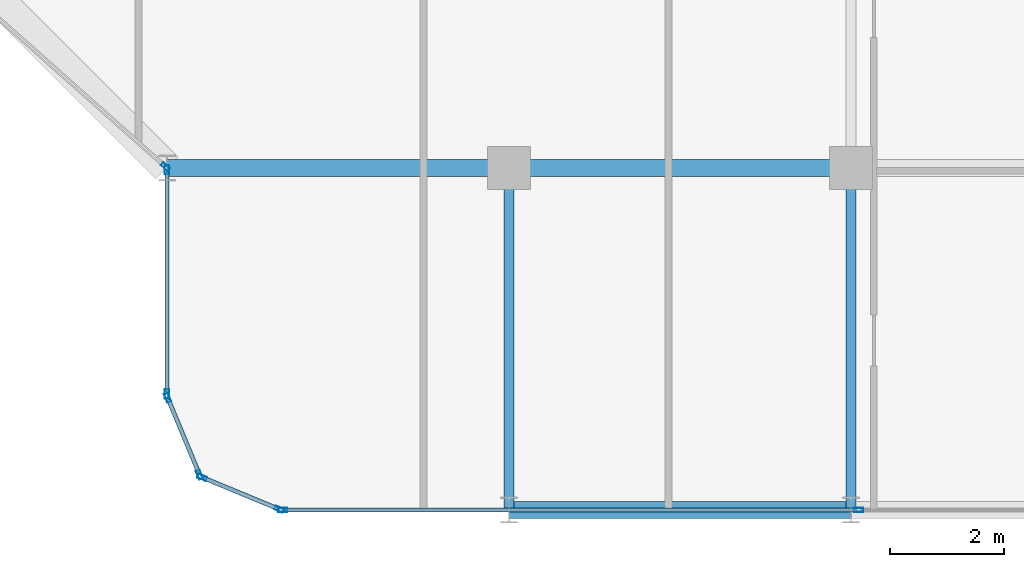
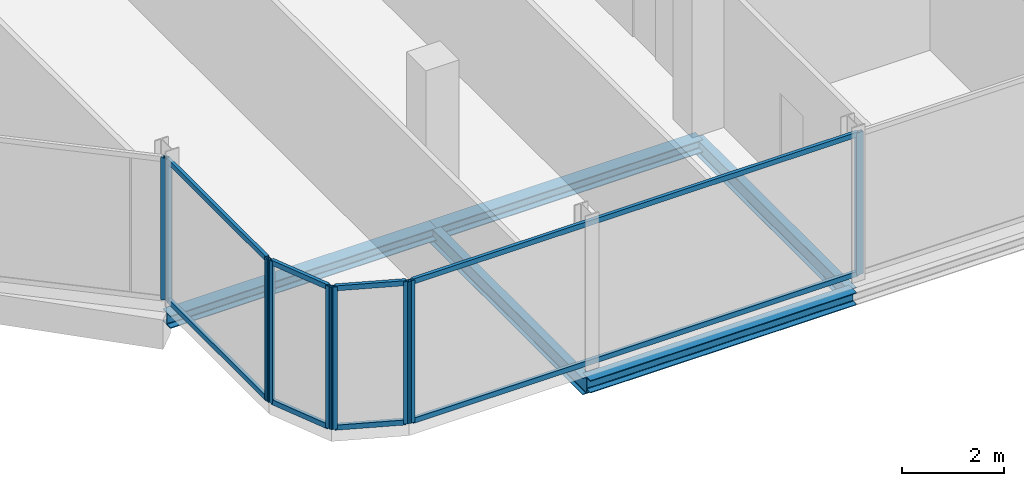
# One storey, part 6 of 29: 17 members, 5 beams, 5 elements without a shape of their own.
"""IFC4 building model written with IfcOpenShell, lengths in metres."""

from ifc_helpers import new_model, si_unit, direction, frame, origin, origin_2d, place, context, subcontext, project, spatial, hollow_rectangle, i_section, extrude, material, layer, layer_set, material_profile, profile_set, type_object, element, aggregate, save


model = new_model("IFC4")

# Units and contexts
model_context = context("Model", 3, precision=1e-05, world=origin(), true_north=direction((0.0, 1.0)))
body_context = subcontext(model_context, "Body", "Model", "MODEL_VIEW")
ifc_project = project(units=[si_unit("LENGTHUNIT", "METRE"), si_unit("AREAUNIT", "SQUARE_METRE"), si_unit("VOLUMEUNIT", "CUBIC_METRE"), si_unit("PLANEANGLEUNIT", "RADIAN"), si_unit("MASSUNIT", "GRAM", prefix="KILO")], contexts=[model_context])

# Site, building, storey
site_placement = place(None, origin())
site = spatial("IfcSite", under=ifc_project, at=site_placement, CompositionType="ELEMENT")
building_placement = place(site_placement, origin())
building = spatial("IfcBuilding", under=site, at=building_placement, Name="Keshet Zoharim Tower", CompositionType="ELEMENT")
storey_placement = place(building_placement, frame((0.0, 0.0, 230.199951171875)))
storey = spatial("IfcBuildingStorey", under=building, at=storey_placement, Name="L57", CompositionType="ELEMENT", Elevation=230.199951171875)

# Beams
ifc_material_1 = material(Name="Steel S355", Category="steel")
ifc_material_profile_1 = material_profile(ifc_material_1, i_section(OverallWidth=0.300048828125, OverallDepth=0.300048828125, WebThickness=0.010986328125, FlangeThickness=0.01904296875, FilletRadius=0.027099609375, at=origin_2d()), Name="HEB300")
ifc_profile_set_1 = profile_set([ifc_material_profile_1], Name="Steel S355")
beam_type_1 = type_object("IfcBeamType", Name="BM-PRI-HB300", PredefinedType="BEAM", material=ifc_profile_set_1)
for number, where, z_axis, x_axis, name in (
    (1, (27.0, 0.699951171875, -0.4599609375), (1.0, 0.0, 0.0), (0.0, 1.0, 0.0), "L57 Primary Girder X-001"),
    (2, (21.0, 6.699951171875, -0.4599609375), (1.0, 0.0, 0.0), (0.0, 1.0, 0.0), "L57 Primary Girder X-005"),
    (3, (27.0, 6.699951171875, -0.4599609375), (1.0, 0.0, 0.0), (0.0, 1.0, 0.0), "L57 Primary Girder X-006"),
):
    element("IfcBeam", number, at=place(storey_placement, frame(where, z_axis=z_axis, x_axis=x_axis)), inside=storey, type_object=beam_type_1, Name=name, PredefinedType="BEAM", context=body_context, shape_type="SweptSolid", body=[
        extrude(i_section(OverallWidth=0.300048828125, OverallDepth=0.300048828125, WebThickness=0.010986328125, FlangeThickness=0.01904296875, FilletRadius=0.027099609375, at=origin_2d()), origin(), (0.0, 0.0, 1.0), 6.0),
    ])
ifc_material_profile_2 = material_profile(ifc_material_1, i_section(OverallWidth=0.179931640625, OverallDepth=0.39990234375, WebThickness=0.008544921875, FlangeThickness=0.013427734375, FilletRadius=0.02099609375, at=origin_2d()), Name="IPE400")
ifc_profile_set_2 = profile_set([ifc_material_profile_2], Name="Steel S355")
beam_type_2 = type_object("IfcBeamType", Name="BM-PRI-IP400", PredefinedType="BEAM", material=ifc_profile_set_2)
for number, where, z_axis, x_axis, name in (
    (4, (27.0, 0.699951171875, -0.510009765625), (0.0, 1.0, 0.0), (-1.0, 0.0, 0.0), "L57 Primary Girder Y-004"),
    (5, (33.0, 0.699951171875, -0.510009765625), (0.0, 1.0, 0.0), (-1.0, 0.0, 0.0), "L57 Primary Girder Y-005"),
):
    element("IfcBeam", number, at=place(storey_placement, frame(where, z_axis=z_axis, x_axis=x_axis)), inside=storey, type_object=beam_type_2, Name=name, PredefinedType="BEAM", context=body_context, shape_type="SweptSolid", body=[
        extrude(i_section(OverallWidth=0.179931640625, OverallDepth=0.39990234375, WebThickness=0.008544921875, FlangeThickness=0.013427734375, FilletRadius=0.02099609375, at=origin_2d()), origin(), (0.0, 0.0, 1.0), 6.0),
    ])

# Curtain wall, members
ifc_material_2 = material(Name="Aluminium 6063-T6", Category="aluminium")
ifc_layer = layer(ifc_material_2, 0.139892578125)
ifc_layer_set = layer_set([ifc_layer], Name="Aluminium 6063-T6")
curtain_wall_type = type_object("IfcCurtainWallType", Name="CW-SYS-05", PredefinedType="NOTDEFINED", material=ifc_layer_set)
curtain_wall_1_placement = place(storey_placement, origin())
curtain_wall_1 = element("IfcCurtainWall", 6, at=curtain_wall_1_placement, inside=storey, type_object=curtain_wall_type, Name="L57 Unitised Curtain Wall 06 Part 3", PredefinedType="NOTDEFINED")
ifc_material_profile_3 = material_profile(ifc_material_2, hollow_rectangle(XDim=0.074951171875, YDim=0.159912109375, WallThickness=0.00390625, at=origin_2d()), Name="MUL-75x160")
ifc_profile_set_3 = profile_set([ifc_material_profile_3], Name="Aluminium 6063-T6")
member_type_1 = type_object("IfcMemberType", Name="CWM-M15", PredefinedType="MULLION", material=ifc_profile_set_3)
member_1_placement = place(storey_placement, frame((33.1376953125, 0.699951171875, 0.0), z_axis=(0.0, 0.0, 1.0), x_axis=(0.0, -1.0, 0.0)))
member_1 = element("IfcMember", 7, at=member_1_placement, type_object=member_type_1, Name="CW-05 mullion 2", PredefinedType="MULLION", context=body_context, shape_type="SweptSolid", body=[
    extrude(hollow_rectangle(XDim=0.074951171875, YDim=0.159912109375, WallThickness=0.00390625, at=origin_2d()), origin(), (0.0, 0.0, 1.0), 3.39013671875),
])
member_2_placement = place(storey_placement, frame((23.034912109375, 0.699951171875, 0.0), z_axis=(0.0, 0.0, 1.0), x_axis=(0.0, -1.0, 0.0)))
member_2 = element("IfcMember", 8, at=member_2_placement, type_object=member_type_1, Name="CW-05 mullion 3", PredefinedType="MULLION", context=body_context, shape_type="SweptSolid", body=[
    extrude(hollow_rectangle(XDim=0.074951171875, YDim=0.159912109375, WallThickness=0.00390625, at=origin_2d()), origin(), (0.0, 0.0, 1.0), 3.39013671875),
])

curtain_wall_2_placement = place(storey_placement, origin())
curtain_wall_2 = element("IfcCurtainWall", 9, at=curtain_wall_2_placement, inside=storey, type_object=curtain_wall_type, Name="L57 Unitised Curtain Wall 07", PredefinedType="NOTDEFINED")
member_3_placement = place(storey_placement, frame((22.9677734375, 0.71337890625, 0.0), z_axis=(0.0, 0.0, 1.0), x_axis=(-0.382851849847, -0.92380975372, 0.0)))
member_3 = element("IfcMember", 10, at=member_3_placement, type_object=member_type_1, Name="CW-05 mullion 1", PredefinedType="MULLION", context=body_context, shape_type="SweptSolid", body=[
    extrude(hollow_rectangle(XDim=0.074951171875, YDim=0.159912109375, WallThickness=0.00390625, at=origin_2d()), origin(), (0.0, 0.0, 1.0), 3.39013671875),
])
member_4_placement = place(storey_placement, frame((21.618408203125, 1.272705078125, 0.0), z_axis=(0.0, 0.0, 1.0), x_axis=(-0.382851849847, -0.92380975372, 0.0)))
member_4 = element("IfcMember", 11, at=member_4_placement, type_object=member_type_1, Name="CW-05 mullion 2", PredefinedType="MULLION", context=body_context, shape_type="SweptSolid", body=[
    extrude(hollow_rectangle(XDim=0.074951171875, YDim=0.159912109375, WallThickness=0.00390625, at=origin_2d()), origin(), (0.0, 0.0, 1.0), 3.39013671875),
])

curtain_wall_3_placement = place(storey_placement, origin())
curtain_wall_3 = element("IfcCurtainWall", 12, at=curtain_wall_3_placement, inside=storey, type_object=curtain_wall_type, Name="L57 Unitised Curtain Wall 08", PredefinedType="NOTDEFINED")
member_5_placement = place(storey_placement, frame((21.572509765625, 1.318359375, 0.0), z_axis=(0.0, 0.0, 1.0), x_axis=(-0.92380975372, -0.382851849847, 0.0)))
member_5 = element("IfcMember", 13, at=member_5_placement, type_object=member_type_1, Name="CW-05 mullion 1", PredefinedType="MULLION", context=body_context, shape_type="SweptSolid", body=[
    extrude(hollow_rectangle(XDim=0.074951171875, YDim=0.159912109375, WallThickness=0.00390625, at=origin_2d()), origin(), (0.0, 0.0, 1.0), 3.39013671875),
])
member_6_placement = place(storey_placement, frame((21.013427734375, 2.667724609375, 0.0), z_axis=(0.0, 0.0, 1.0), x_axis=(-0.92380975372, -0.382851849847, 0.0)))
member_6 = element("IfcMember", 14, at=member_6_placement, type_object=member_type_1, Name="CW-05 mullion 2", PredefinedType="MULLION", context=body_context, shape_type="SweptSolid", body=[
    extrude(hollow_rectangle(XDim=0.074951171875, YDim=0.159912109375, WallThickness=0.00390625, at=origin_2d()), origin(), (0.0, 0.0, 1.0), 3.39013671875),
])

curtain_wall_4_placement = place(storey_placement, origin())
curtain_wall_4 = element("IfcCurtainWall", 15, at=curtain_wall_4_placement, inside=storey, type_object=curtain_wall_type, Name="L57 Unitised Curtain Wall 09", PredefinedType="NOTDEFINED")
member_7_placement = place(storey_placement, frame((21.0, 2.735107421875, 0.0), z_axis=(0.0, 0.0, 1.0), x_axis=(-1.0, 0.0, 0.0)))
member_7 = element("IfcMember", 16, at=member_7_placement, type_object=member_type_1, Name="CW-05 mullion 1", PredefinedType="MULLION", context=body_context, shape_type="SweptSolid", body=[
    extrude(hollow_rectangle(XDim=0.074951171875, YDim=0.159912109375, WallThickness=0.00390625, at=origin_2d()), origin(), (0.0, 0.0, 1.0), 3.39013671875),
])
member_8_placement = place(storey_placement, frame((21.0, 6.6650390625, 0.0), z_axis=(0.0, 0.0, 1.0), x_axis=(-1.0, 0.0, 0.0)))
member_8 = element("IfcMember", 17, at=member_8_placement, type_object=member_type_1, Name="CW-05 mullion 2", PredefinedType="MULLION", context=body_context, shape_type="SweptSolid", body=[
    extrude(hollow_rectangle(XDim=0.074951171875, YDim=0.159912109375, WallThickness=0.00390625, at=origin_2d()), origin(), (0.0, 0.0, 1.0), 3.39013671875),
])

# Curtain wall, member
curtain_wall_5_placement = place(storey_placement, origin())
curtain_wall_5 = element("IfcCurtainWall", 18, at=curtain_wall_5_placement, inside=storey, type_object=curtain_wall_type, Name="L57 Unitised Curtain Wall 10", PredefinedType="NOTDEFINED")
member_9_placement = place(storey_placement, frame((20.973876953125, 6.72314453125, 0.0), z_axis=(0.0, 0.0, 1.0), x_axis=(-0.664363086114, -0.747409987764, 0.0)))
member_9 = element("IfcMember", 19, at=member_9_placement, type_object=member_type_1, Name="CW-05 mullion 1", PredefinedType="MULLION", context=body_context, shape_type="SweptSolid", body=[
    extrude(hollow_rectangle(XDim=0.074951171875, YDim=0.159912109375, WallThickness=0.00390625, at=origin_2d()), origin(), (0.0, 0.0, 1.0), 3.39013671875),
])
aggregate(curtain_wall_5, [member_9])

# Member
ifc_material_profile_4 = material_profile(ifc_material_2, hollow_rectangle(XDim=0.074951171875, YDim=0.1201171875, WallThickness=0.00390625, at=origin_2d()), Name="TRN-75x120")
ifc_profile_set_4 = profile_set([ifc_material_profile_4], Name="Aluminium 6063-T6")
member_type_2 = type_object("IfcMemberType", Name="CWT-T12", PredefinedType="USERDEFINED", material=ifc_profile_set_4)
member_10_placement = place(storey_placement, frame((33.1025390625, 0.699951171875, 0.03515625), z_axis=(-1.0, 0.0, 0.0), x_axis=(0.0, -1.0, 0.0)))
member_10 = element("IfcMember", 20, at=member_10_placement, type_object=member_type_2, Name="CW-05 transom 2.1", ObjectType="TRANSOM", PredefinedType="USERDEFINED", context=body_context, shape_type="SweptSolid", body=[
    extrude(hollow_rectangle(XDim=0.074951171875, YDim=0.1201171875, WallThickness=0.00390625, at=origin_2d()), origin(), (0.0, 0.0, 1.0), 10.032470703125),
])

member_11_placement = place(storey_placement, frame((33.1025390625, 0.699951171875, 3.35498046875), z_axis=(-1.0, 0.0, 0.0), x_axis=(0.0, -1.0, 0.0)))
member_11 = element("IfcMember", 21, at=member_11_placement, type_object=member_type_2, Name="CW-05 transom 2.2", ObjectType="TRANSOM", PredefinedType="USERDEFINED", context=body_context, shape_type="SweptSolid", body=[
    extrude(hollow_rectangle(XDim=0.074951171875, YDim=0.1201171875, WallThickness=0.00390625, at=origin_2d()), origin(), (0.0, 0.0, 1.0), 10.032470703125),
])

aggregate(curtain_wall_1, [member_1, member_2, member_10, member_11])

member_12_placement = place(storey_placement, frame((22.935302734375, 0.726806640625, 0.03515625), z_axis=(-0.92379209995, 0.382894445076, 0.0), x_axis=(-0.382894445076, -0.92379209995, 0.0)))
member_12 = element("IfcMember", 22, at=member_12_placement, type_object=member_type_2, Name="CW-05 transom 1.1", ObjectType="TRANSOM", PredefinedType="USERDEFINED", context=body_context, shape_type="SweptSolid", body=[
    extrude(hollow_rectangle(XDim=0.074951171875, YDim=0.1201171875, WallThickness=0.00390625, at=origin_2d()), origin(), (0.0, 0.0, 1.0), 1.390625),
])

member_13_placement = place(storey_placement, frame((22.935302734375, 0.726806640625, 3.35498046875), z_axis=(-0.92379209995, 0.382894445076, 0.0), x_axis=(-0.382894445076, -0.92379209995, 0.0)))
member_13 = element("IfcMember", 23, at=member_13_placement, type_object=member_type_2, Name="CW-05 transom 1.2", ObjectType="TRANSOM", PredefinedType="USERDEFINED", context=body_context, shape_type="SweptSolid", body=[
    extrude(hollow_rectangle(XDim=0.074951171875, YDim=0.1201171875, WallThickness=0.00390625, at=origin_2d()), origin(), (0.0, 0.0, 1.0), 1.390625),
])

aggregate(curtain_wall_2, [member_3, member_4, member_12, member_13])

member_14_placement = place(storey_placement, frame((21.55908203125, 1.3505859375, 0.03515625), z_axis=(-0.382744609247, 0.923854189844, 0.0), x_axis=(-0.923854189844, -0.382744609247, 0.0)))
member_14 = element("IfcMember", 24, at=member_14_placement, type_object=member_type_2, Name="CW-05 transom 1.1", ObjectType="TRANSOM", PredefinedType="USERDEFINED", context=body_context, shape_type="SweptSolid", body=[
    extrude(hollow_rectangle(XDim=0.074951171875, YDim=0.1201171875, WallThickness=0.00390625, at=origin_2d()), origin(), (0.0, 0.0, 1.0), 1.390625),
])

member_15_placement = place(storey_placement, frame((21.55908203125, 1.3505859375, 3.35498046875), z_axis=(-0.382744609247, 0.923854189844, 0.0), x_axis=(-0.923854189844, -0.382744609247, 0.0)))
member_15 = element("IfcMember", 25, at=member_15_placement, type_object=member_type_2, Name="CW-05 transom 1.2", ObjectType="TRANSOM", PredefinedType="USERDEFINED", context=body_context, shape_type="SweptSolid", body=[
    extrude(hollow_rectangle(XDim=0.074951171875, YDim=0.1201171875, WallThickness=0.00390625, at=origin_2d()), origin(), (0.0, 0.0, 1.0), 1.390625),
])

aggregate(curtain_wall_3, [member_5, member_6, member_14, member_15])

member_16_placement = place(storey_placement, frame((21.0, 2.77001953125, 0.03515625), z_axis=(0.0, 1.0, 0.0), x_axis=(-1.0, 0.0, 0.0)))
member_16 = element("IfcMember", 26, at=member_16_placement, type_object=member_type_2, Name="CW-05 transom 1.1", ObjectType="TRANSOM", PredefinedType="USERDEFINED", context=body_context, shape_type="SweptSolid", body=[
    extrude(hollow_rectangle(XDim=0.074951171875, YDim=0.1201171875, WallThickness=0.00390625, at=origin_2d()), origin(), (0.0, 0.0, 1.0), 3.85986328125),
])

member_17_placement = place(storey_placement, frame((21.0, 2.77001953125, 3.35498046875), z_axis=(0.0, 1.0, 0.0), x_axis=(-1.0, 0.0, 0.0)))
member_17 = element("IfcMember", 27, at=member_17_placement, type_object=member_type_2, Name="CW-05 transom 1.2", ObjectType="TRANSOM", PredefinedType="USERDEFINED", context=body_context, shape_type="SweptSolid", body=[
    extrude(hollow_rectangle(XDim=0.074951171875, YDim=0.1201171875, WallThickness=0.00390625, at=origin_2d()), origin(), (0.0, 0.0, 1.0), 3.85986328125),
])

aggregate(curtain_wall_4, [member_7, member_8, member_16, member_17])

save(model, "model.ifc")
